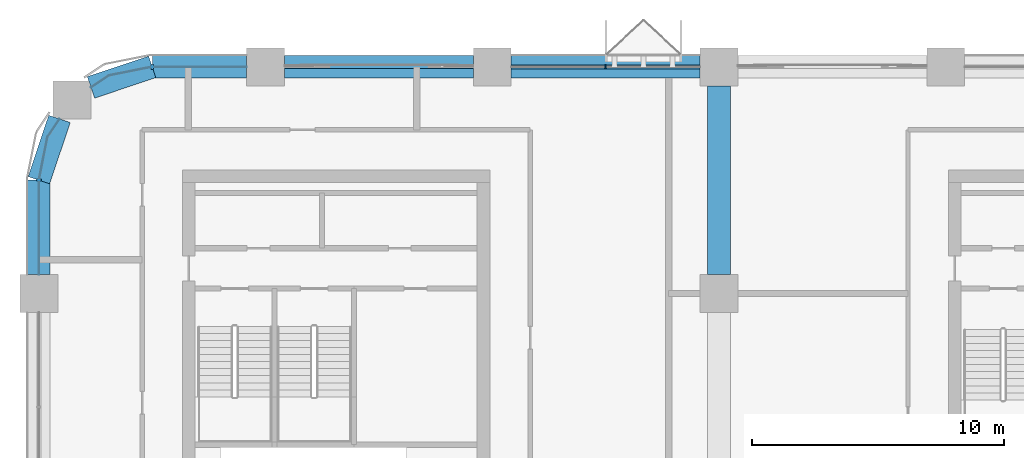
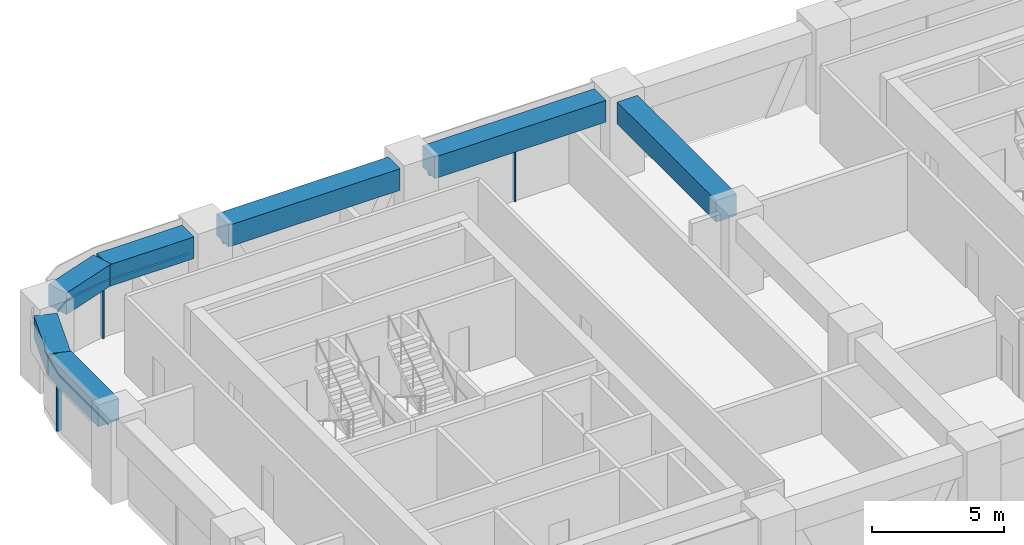
# One storey, part 4 of 14: 7 beams, 7 members, 4 elements without a shape of their own.
"""IFC4 building model written with IfcOpenShell, lengths in metres."""

from ifc_helpers import new_model, si_unit, direction, frame, origin, origin_2d, place, context, subcontext, project, spatial, polyline, rectangle, outline, extrude, material, material_profile, profile_set, type_object, element, aggregate, save


model = new_model("IFC4")

# Units and contexts
model_context = context("Model", 3, precision=1e-05, world=origin(), true_north=direction((0.0, 1.0)))
body_context = subcontext(model_context, "Body", "Model", "MODEL_VIEW")
ifc_project = project(units=[si_unit("LENGTHUNIT", "METRE"), si_unit("AREAUNIT", "SQUARE_METRE"), si_unit("VOLUMEUNIT", "CUBIC_METRE"), si_unit("PLANEANGLEUNIT", "RADIAN"), si_unit("MASSUNIT", "GRAM", prefix="KILO")], contexts=[model_context])

# Site, building, storey
site_placement = place(None, origin())
site = spatial("IfcSite", under=ifc_project, at=site_placement, CompositionType="ELEMENT")
building_placement = place(site_placement, origin())
building = spatial("IfcBuilding", under=site, at=building_placement, Name="Tessera Arch", CompositionType="ELEMENT")
storey_placement = place(building_placement, frame((0.0, 0.0, 177.800048828125)))
storey = spatial("IfcBuildingStorey", under=building, at=storey_placement, Name="L42", CompositionType="ELEMENT", Elevation=177.800048828125)

# Curtain wall, members
ifc_material_1 = material(Name="CW1 curtain wall")
curtain_wall_type_1 = type_object("IfcCurtainWallType", Name="CW1 curtain wall", PredefinedType="NOTDEFINED", material=ifc_material_1)
curtain_wall_1_placement = place(storey_placement, origin())
curtain_wall_1 = element("IfcCurtainWall", 1, at=curtain_wall_1_placement, inside=storey, type_object=curtain_wall_type_1, Name="CW1 curtain wall N54.0/3 L42", PredefinedType="NOTDEFINED")
ifc_material_2 = material(Name="Anodised aluminium pale metal", Category="aluminium")
ifc_material_profile_1 = material_profile(ifc_material_2, rectangle(XDim=0.159912109375, YDim=0.06005859375, at=origin_2d()), Name="AL 60x160")
ifc_profile_set_1 = profile_set([ifc_material_profile_1], Name="Anodised aluminium pale metal")
member_type_1 = type_object("IfcMemberType", Name="CW1 mullion", PredefinedType="MULLION", material=ifc_profile_set_1)
member_1_placement = place(storey_placement, frame((22.5, 54.0, 0.0), z_axis=(0.0, 0.0, 1.0), x_axis=(0.0, -1.0, 0.0)))
member_1 = element("IfcMember", 2, at=member_1_placement, type_object=member_type_1, Name="CW1 mullion N54.0/3 1", PredefinedType="MULLION", context=body_context, shape_type="SweptSolid", body=[
    extrude(rectangle(XDim=0.159912109375, YDim=0.06005859375, at=origin_2d()), origin(), (0.0, 0.0, 1.0), 2.5),
])
ifc_material_3 = material(Name="Anodised aluminium pale metal", Category="aluminium")
ifc_material_profile_2 = material_profile(ifc_material_3, rectangle(XDim=0.159912109375, YDim=0.10009765625, at=origin_2d()), Name="AL 160x100")
ifc_profile_set_2 = profile_set([ifc_material_profile_2], Name="Anodised aluminium pale metal")
member_type_2 = type_object("IfcMemberType", Name="CW1 transom", PredefinedType="USERDEFINED", material=ifc_profile_set_2)
member_2_placement = place(storey_placement, frame((26.25, 54.0, 2.550048828125), z_axis=(-1.0, 0.0, 0.0), x_axis=(0.0, -1.0, 0.0)))
member_2 = element("IfcMember", 3, at=member_2_placement, type_object=member_type_2, Name="CW1 transom N54.0/3 1.1", ObjectType="TRANSOM", PredefinedType="USERDEFINED", context=body_context, shape_type="SweptSolid", body=[
    extrude(rectangle(XDim=0.159912109375, YDim=0.10009765625, at=origin_2d()), origin(), (0.0, 0.0, 1.0), 7.5),
])
aggregate(curtain_wall_1, [member_1, member_2])

# Curtain wall, member
ifc_material_4 = material(Name="CW2 curtain wall")
curtain_wall_type_2 = type_object("IfcCurtainWallType", Name="CW2 curtain wall", PredefinedType="NOTDEFINED", material=ifc_material_4)
curtain_wall_2_placement = place(storey_placement, origin())
curtain_wall_2 = element("IfcCurtainWall", 4, at=curtain_wall_2_placement, inside=storey, type_object=curtain_wall_type_2, Name="CW2 curtain wall N54.0/5 L42", PredefinedType="NOTDEFINED")
ifc_material_5 = material(Name="Anodised aluminium pale metal", Category="aluminium")
ifc_material_profile_3 = material_profile(ifc_material_5, rectangle(XDim=0.199951171875, YDim=0.080078125, at=origin_2d()), Name="AL 80x200")
ifc_profile_set_3 = profile_set([ifc_material_profile_3], Name="Anodised aluminium pale metal")
member_type_3 = type_object("IfcMemberType", Name="CW2 mullion", PredefinedType="MULLION", material=ifc_profile_set_3)
member_3_placement = place(storey_placement, frame((4.5, 54.0, 0.0), z_axis=(0.0, 0.0, 1.0), x_axis=(0.0, -1.0, 0.0)))
member_3 = element("IfcMember", 5, at=member_3_placement, type_object=member_type_3, Name="CW2 mullion N54.0/5 1", PredefinedType="MULLION", context=body_context, shape_type="SweptSolid", body=[
    extrude(rectangle(XDim=0.199951171875, YDim=0.080078125, at=origin_2d()), origin(), (0.0, 0.0, 1.0), 2.5),
])

curtain_wall_3_placement = place(storey_placement, origin())
curtain_wall_3 = element("IfcCurtainWall", 6, at=curtain_wall_3_placement, inside=storey, type_object=curtain_wall_type_2, Name="CW2 curtain wall W0.27/0 L42", PredefinedType="NOTDEFINED")
member_4_placement = place(storey_placement, frame((0.0, 49.5, 0.0), z_axis=(0.0, 0.0, 1.0), x_axis=(1.0, 0.0, 0.0)))
member_4 = element("IfcMember", 7, at=member_4_placement, type_object=member_type_3, Name="CW2 mullion W0.27/0 1", PredefinedType="MULLION", context=body_context, shape_type="SweptSolid", body=[
    extrude(rectangle(XDim=0.199951171875, YDim=0.080078125, at=origin_2d()), origin(), (0.0, 0.0, 1.0), 2.5),
])

# Member
ifc_material_6 = material(Name="Anodised aluminium pale metal", Category="aluminium")
ifc_material_profile_4 = material_profile(ifc_material_6, rectangle(XDim=0.199951171875, YDim=0.10009765625, at=origin_2d()), Name="AL 200x100")
ifc_profile_set_4 = profile_set([ifc_material_profile_4], Name="Anodised aluminium pale metal")
member_type_4 = type_object("IfcMemberType", Name="CW2 transom", PredefinedType="USERDEFINED", material=ifc_profile_set_4)
member_5_placement = place(storey_placement, frame((0.0, 0.0, 2.5)))
member_5 = element("IfcMember", 8, at=member_5_placement, type_object=member_type_4, Name="CW2 transom N54.0/5 1", ObjectType="TRANSOM", PredefinedType="USERDEFINED", context=body_context, shape_type="SweptSolid", body=[
    extrude(outline(polyline([(4.5009765625, 53.989990234375), (8.25, 53.989990234375), (8.25, 54.010009765625), (4.4990234375, 54.010009765625), (2.77392578125, 53.6669921875), (2.0625, 53.19140625), (2.073486328125, 53.1748046875), (2.78173828125, 53.648193359375), (4.5009765625, 53.989990234375)])), origin(), (0.0, 0.0, 1.0), 0.099853515625),
])

aggregate(curtain_wall_2, [member_3, member_5])

member_6_placement = place(storey_placement, frame((0.0, 0.0, 2.5)))
member_6 = element("IfcMember", 9, at=member_6_placement, type_object=member_type_4, Name="CW2 transom W0.27/0 1", ObjectType="TRANSOM", PredefinedType="USERDEFINED", context=body_context, shape_type="SweptSolid", body=[
    extrude(outline(polyline([(0.351806640625, 51.21826171875), (0.8251953125, 51.926513671875), (0.80859375, 51.9375), (0.3330078125, 51.22607421875), (-0.010009765625, 49.5009765625), (-0.010009765625, 45.75), (0.010009765625, 45.75), (0.010009765625, 49.4990234375), (0.351806640625, 51.21826171875)])), origin(), (0.0, 0.0, 1.0), 0.099853515625),
])

aggregate(curtain_wall_3, [member_4, member_6])

# Curtain wall, member
ifc_material_7 = material(Name="CW3 curtain wall")
curtain_wall_type_3 = type_object("IfcCurtainWallType", Name="CW3 curtain wall", PredefinedType="NOTDEFINED", material=ifc_material_7)
curtain_wall_4_placement = place(storey_placement, origin())
curtain_wall_4 = element("IfcCurtainWall", 10, at=curtain_wall_4_placement, inside=storey, type_object=curtain_wall_type_3, Name="CW3 curtain wall N54.0/4 L42", PredefinedType="NOTDEFINED")
ifc_material_8 = material(Name="Anodised aluminium pale metal", Category="aluminium")
ifc_material_profile_5 = material_profile(ifc_material_8, rectangle(XDim=0.139892578125, YDim=0.10009765625, at=origin_2d()), Name="AL 140x100")
ifc_profile_set_5 = profile_set([ifc_material_profile_5], Name="Anodised aluminium pale metal")
member_type_5 = type_object("IfcMemberType", Name="CW3 transom", PredefinedType="USERDEFINED", material=ifc_profile_set_5)
member_7_placement = place(storey_placement, frame((17.25, 54.0, 2.550048828125), z_axis=(-1.0, 0.0, 0.0), x_axis=(0.0, -1.0, 0.0)))
member_7 = element("IfcMember", 11, at=member_7_placement, type_object=member_type_5, Name="CW3 transom N54.0/4 1.1", ObjectType="TRANSOM", PredefinedType="USERDEFINED", context=body_context, shape_type="SweptSolid", body=[
    extrude(rectangle(XDim=0.139892578125, YDim=0.10009765625, at=origin_2d()), origin(), (0.0, 0.0, 1.0), 7.5),
])
aggregate(curtain_wall_4, [member_7])

# Beams
ifc_material_9 = material(Name="Concrete C70/85", Category="concrete")
ifc_material_profile_6 = material_profile(ifc_material_9, rectangle(XDim=0.89990234375, YDim=1.0, at=origin_2d()), Name="RC spandrel beam 900 x 1000 Concrete C70/85")
ifc_profile_set_6 = profile_set([ifc_material_profile_6], Name="Concrete C70/85")
beam_type = type_object("IfcBeamType", Name="RC spandrel beam 900 x 1000 Concrete C70/85", PredefinedType="BEAM", material=ifc_profile_set_6)
for number, where, z_axis, x_axis, name in (
    (12, (26.25, 54.0, 3.099853515625), (-1.0, 0.0, 0.0), (0.0, -1.0, 0.0), "Spandrel beam L42 N54.0/3"),
    (13, (17.25, 54.0, 3.099853515625), (-1.0, 0.0, 0.0), (0.0, -1.0, 0.0), "Spandrel beam L42 N54.0/4"),
):
    element("IfcBeam", number, at=place(storey_placement, frame(where, z_axis=z_axis, x_axis=x_axis)), inside=storey, type_object=beam_type, Name=name, PredefinedType="BEAM", context=body_context, shape_type="SweptSolid", body=[
        extrude(rectangle(XDim=0.89990234375, YDim=1.0, at=origin_2d()), origin(), (0.0, 0.0, 1.0), 7.5),
    ])
beam_1_placement = place(storey_placement, frame((8.25, 54.0, 3.099853515625), z_axis=(-1.0, 0.0, 0.0), x_axis=(0.0, -1.0, 0.0)))
element("IfcBeam", 14, at=beam_1_placement, inside=storey, type_object=beam_type, Name="Spandrel beam L42 N54.0/5.1", PredefinedType="BEAM", context=body_context, shape_type="SweptSolid", body=[
    extrude(rectangle(XDim=0.89990234375, YDim=1.0, at=origin_2d()), origin(), (0.0, 0.0, 1.0), 3.75),
])
for number, where, z_axis, x_axis, name in (
    (15, (4.5, 54.0, 3.099853515625), (-0.947947973234, -0.31842525032, 0.0), (0.31842525032, -0.947947973234, 0.0), "Spandrel beam L42 N54.0/5.2"),
    (16, (0.81689453125, 51.931884765625, 3.099853515625), (-0.31842525032, -0.947947973234, 0.0), (0.947947973234, -0.31842525032, 0.0), "Spandrel beam L42 W0.27/0.1"),
):
    element("IfcBeam", number, at=place(storey_placement, frame(where, z_axis=z_axis, x_axis=x_axis)), inside=storey, type_object=beam_type, Name=name, PredefinedType="BEAM", context=body_context, shape_type="SweptSolid", body=[
        extrude(rectangle(XDim=0.89990234375, YDim=1.0, at=origin_2d()), origin(), (0.0, 0.0, 1.0), 2.5654296875),
    ])
beam_2_placement = place(storey_placement, frame((0.0, 49.5, 3.099853515625), z_axis=(0.0, -1.0, 0.0), x_axis=(1.0, 0.0, 0.0)))
element("IfcBeam", 17, at=beam_2_placement, inside=storey, type_object=beam_type, Name="Spandrel beam L42 W0.27/0.2", PredefinedType="BEAM", context=body_context, shape_type="SweptSolid", body=[
    extrude(rectangle(XDim=0.89990234375, YDim=1.0, at=origin_2d()), origin(), (0.0, 0.0, 1.0), 3.75),
])
beam_3_placement = place(storey_placement, frame((27.0, 45.75, 3.099853515625), z_axis=(0.0, 1.0, 0.0), x_axis=(-1.0, 0.0, 0.0)))
element("IfcBeam", 18, at=beam_3_placement, inside=storey, type_object=beam_type, Name="Interface beam L42 I0C4F-C4G", PredefinedType="BEAM", context=body_context, shape_type="SweptSolid", body=[
    extrude(rectangle(XDim=0.89990234375, YDim=1.0, at=origin_2d()), origin(), (0.0, 0.0, 1.0), 7.5),
])

save(model, "model.ifc")
